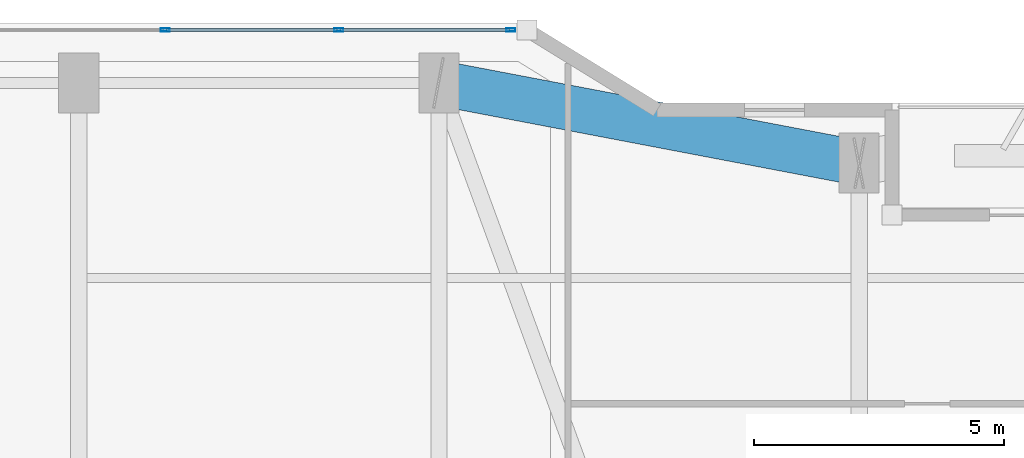
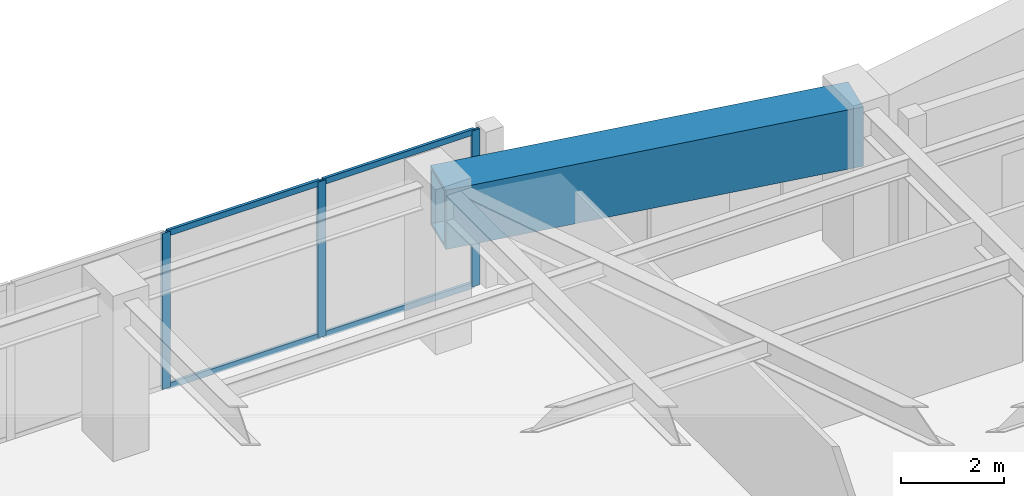
# One storey, part 19 of 30: 7 members, 1 beam, 1 element without a shape of its own.
"""IFC4 building model written with IfcOpenShell, lengths in metres."""

from ifc_helpers import new_model, si_unit, direction, frame, origin, origin_2d, place, context, subcontext, project, spatial, hollow_rectangle, extrude, material, layer, layer_set, material_profile, profile_set, type_object, element, aggregate, save


model = new_model("IFC4")

# Units and contexts
model_context = context("Model", 3, precision=1e-05, world=origin(), true_north=direction((0.0, 1.0)))
body_context = subcontext(model_context, "Body", "Model", "MODEL_VIEW")
ifc_project = project(units=[si_unit("LENGTHUNIT", "METRE"), si_unit("AREAUNIT", "SQUARE_METRE"), si_unit("VOLUMEUNIT", "CUBIC_METRE"), si_unit("PLANEANGLEUNIT", "RADIAN"), si_unit("MASSUNIT", "GRAM", prefix="KILO")], contexts=[model_context])

# Site, building, storey
site_placement = place(None, origin())
site = spatial("IfcSite", under=ifc_project, at=site_placement, CompositionType="ELEMENT")
building_placement = place(site_placement, origin())
building = spatial("IfcBuilding", under=site, at=building_placement, Name="Kiyonajd Concourse Tower", CompositionType="ELEMENT")
storey_placement = place(building_placement, frame((0.0, 0.0, 190.199951171875)))
storey = spatial("IfcBuildingStorey", under=building, at=storey_placement, Name="L48", CompositionType="ELEMENT", Elevation=190.199951171875)

# Beam
ifc_material_1 = material(Name="Steel ASTM A572 Grade 50", Category="steel")
ifc_material_profile_1 = material_profile(ifc_material_1, hollow_rectangle(XDim=0.89990234375, YDim=1.39990234375, WallThickness=0.070068359375, at=origin_2d()), Name="BOX-1400x900x70")
ifc_profile_set_1 = profile_set([ifc_material_profile_1], Name="Steel ASTM A572 Grade 50")
beam_type = type_object("IfcBeamType", Name="BM-XFER-1400", PredefinedType="BEAM", material=ifc_profile_set_1)
beam_placement = place(storey_placement, frame((48.0, 59.60009765625, 2.97998046875), z_axis=(-0.982341315253, 0.187097675953, 0.0), x_axis=(-0.187097675953, -0.982341315253, 0.0)))
element("IfcBeam", 1, at=beam_placement, inside=storey, type_object=beam_type, Name="L48 Perimeter Bundled Tube Spandrel", PredefinedType="BEAM", context=body_context, shape_type="SweptSolid", body=[
    extrude(hollow_rectangle(XDim=0.89990234375, YDim=1.39990234375, WallThickness=0.070068359375, at=origin_2d()), origin(), (0.0, 0.0, 1.0), 8.55078125),
])

# Curtain wall, members
ifc_material_2 = material(Name="Thermally Broken Anodised Aluminium", Category="aluminium")
ifc_layer = layer(ifc_material_2, 0.179931640625)
ifc_layer_set = layer_set([ifc_layer], Name="Thermally Broken Anodised Aluminium")
curtain_wall_type = type_object("IfcCurtainWallType", Name="CW-SYS-03", PredefinedType="NOTDEFINED", material=ifc_layer_set)
curtain_wall_placement = place(storey_placement, origin())
curtain_wall = element("IfcCurtainWall", 2, at=curtain_wall_placement, inside=storey, type_object=curtain_wall_type, Name="L48 Unitised Curtain Wall CW3", PredefinedType="NOTDEFINED")
ifc_material_profile_2 = material_profile(ifc_material_2, hollow_rectangle(XDim=0.06494140625, YDim=0.179931640625, WallThickness=0.00390625, at=origin_2d()), Name="MULL-65x180")
ifc_profile_set_2 = profile_set([ifc_material_profile_2], Name="Thermally Broken Anodised Aluminium")
member_type_1 = type_object("IfcMemberType", Name="MB-CW-MULL1", PredefinedType="MULLION", material=ifc_profile_set_2)
member_1_placement = place(storey_placement, frame((34.12548828125, 62.260009765625, 0.0), z_axis=(0.0, 0.0, 1.0), x_axis=(0.0, 1.0, 0.0)))
member_1 = element("IfcMember", 3, at=member_1_placement, type_object=member_type_1, Name="CW3 mullion 4", PredefinedType="MULLION", context=body_context, shape_type="SweptSolid", body=[
    extrude(hollow_rectangle(XDim=0.06494140625, YDim=0.179931640625, WallThickness=0.00390625, at=origin_2d()), origin(), (0.0, 0.0, 1.0), 3.679931640625),
])
member_2_placement = place(storey_placement, frame((37.597900390625, 62.260009765625, 0.0), z_axis=(0.0, 0.0, 1.0), x_axis=(0.0, 1.0, 0.0)))
member_2 = element("IfcMember", 4, at=member_2_placement, type_object=member_type_1, Name="CW3 mullion 5", PredefinedType="MULLION", context=body_context, shape_type="SweptSolid", body=[
    extrude(hollow_rectangle(XDim=0.06494140625, YDim=0.179931640625, WallThickness=0.00390625, at=origin_2d()), origin(), (0.0, 0.0, 1.0), 3.679931640625),
])
member_3_placement = place(storey_placement, frame((41.037841796875, 62.260009765625, 0.0), z_axis=(0.0, 0.0, 1.0), x_axis=(0.0, 1.0, 0.0)))
member_3 = element("IfcMember", 5, at=member_3_placement, type_object=member_type_1, Name="CW3 mullion 6", PredefinedType="MULLION", context=body_context, shape_type="SweptSolid", body=[
    extrude(hollow_rectangle(XDim=0.06494140625, YDim=0.179931640625, WallThickness=0.00390625, at=origin_2d()), origin(), (0.0, 0.0, 1.0), 3.679931640625),
])
ifc_material_profile_3 = material_profile(ifc_material_2, hollow_rectangle(XDim=0.06494140625, YDim=0.139892578125, WallThickness=0.00390625, at=origin_2d()), Name="TRAN-65x140")
ifc_profile_set_3 = profile_set([ifc_material_profile_3], Name="Thermally Broken Anodised Aluminium")
member_type_2 = type_object("IfcMemberType", Name="MB-CW-TRAN1", PredefinedType="USERDEFINED", material=ifc_profile_set_3)
member_4_placement = place(storey_placement, frame((34.158203125, 62.260009765625, 0.032470703125), z_axis=(1.0, 0.0, 0.0), x_axis=(0.0, 1.0, 0.0)))
member_4 = element("IfcMember", 6, at=member_4_placement, type_object=member_type_2, Name="CW3 transom 4.1", ObjectType="TRANSOM", PredefinedType="USERDEFINED", context=body_context, shape_type="SweptSolid", body=[
    extrude(hollow_rectangle(XDim=0.06494140625, YDim=0.139892578125, WallThickness=0.00390625, at=origin_2d()), origin(), (0.0, 0.0, 1.0), 3.4072265625),
])
member_5_placement = place(storey_placement, frame((34.158203125, 62.260009765625, 3.6474609375), z_axis=(1.0, 0.0, 0.0), x_axis=(0.0, 1.0, 0.0)))
member_5 = element("IfcMember", 7, at=member_5_placement, type_object=member_type_2, Name="CW3 transom 4.2", ObjectType="TRANSOM", PredefinedType="USERDEFINED", context=body_context, shape_type="SweptSolid", body=[
    extrude(hollow_rectangle(XDim=0.06494140625, YDim=0.139892578125, WallThickness=0.00390625, at=origin_2d()), origin(), (0.0, 0.0, 1.0), 3.4072265625),
])
member_6_placement = place(storey_placement, frame((37.630615234375, 62.260009765625, 0.032470703125), z_axis=(1.0, 0.0, 0.0), x_axis=(0.0, 1.0, 0.0)))
member_6 = element("IfcMember", 8, at=member_6_placement, type_object=member_type_2, Name="CW3 transom 5.1", ObjectType="TRANSOM", PredefinedType="USERDEFINED", context=body_context, shape_type="SweptSolid", body=[
    extrude(hollow_rectangle(XDim=0.06494140625, YDim=0.139892578125, WallThickness=0.00390625, at=origin_2d()), origin(), (0.0, 0.0, 1.0), 3.374755859375),
])
member_7_placement = place(storey_placement, frame((37.630615234375, 62.260009765625, 3.6474609375), z_axis=(1.0, 0.0, 0.0), x_axis=(0.0, 1.0, 0.0)))
member_7 = element("IfcMember", 9, at=member_7_placement, type_object=member_type_2, Name="CW3 transom 5.2", ObjectType="TRANSOM", PredefinedType="USERDEFINED", context=body_context, shape_type="SweptSolid", body=[
    extrude(hollow_rectangle(XDim=0.06494140625, YDim=0.139892578125, WallThickness=0.00390625, at=origin_2d()), origin(), (0.0, 0.0, 1.0), 3.374755859375),
])
aggregate(curtain_wall, [member_1, member_2, member_3, member_4, member_5, member_6, member_7])

save(model, "model.ifc")
